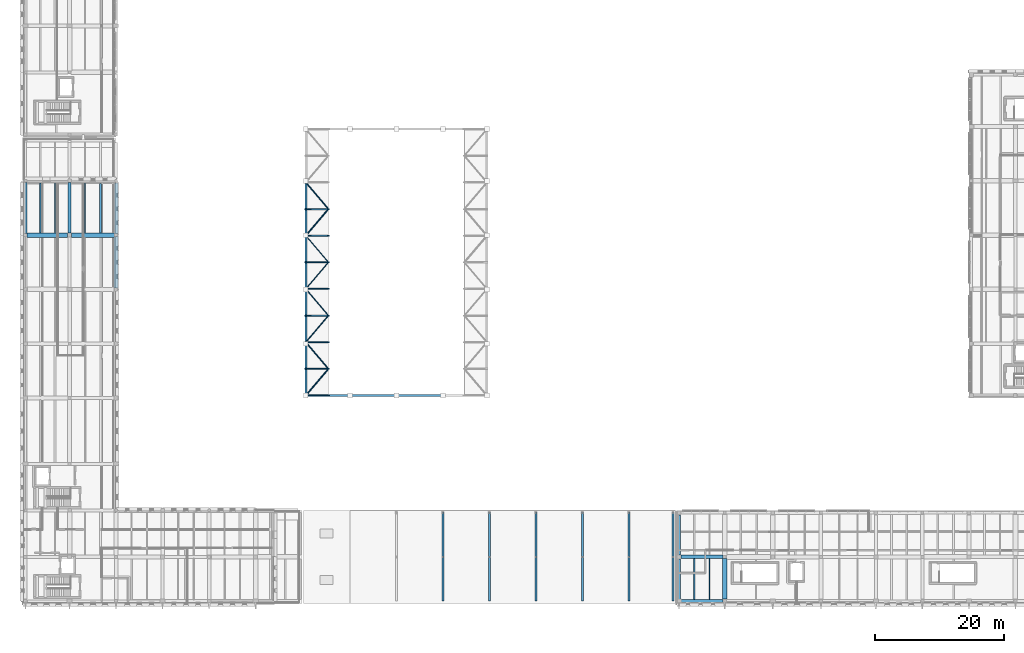
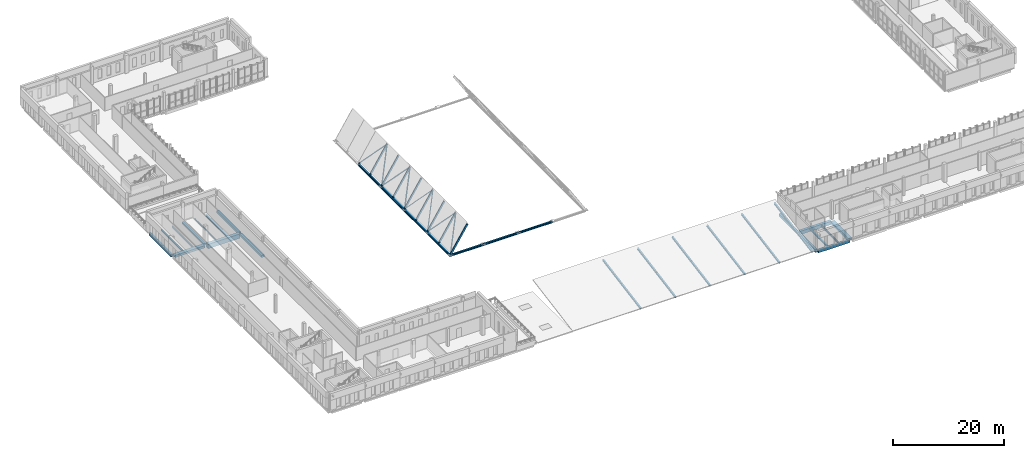
# One storey, part 10 of 56: 40 beams, 16 members.
"""IFC4 building model written with IfcOpenShell, lengths in metres."""

from ifc_helpers import new_model, si_unit, direction, frame, origin, origin_2d, place, context, subcontext, project, spatial, rectangle, hollow_rectangle, hollow_circle, i_section, extrude, material, material_profile, profile_set, type_object, element, save


model = new_model("IFC4")

# Units and contexts
model_context = context("Model", 3, precision=1e-05, world=origin(), true_north=direction((0.0, 1.0)))
body_context = subcontext(model_context, "Body", "Model", "MODEL_VIEW")
ifc_project = project(units=[si_unit("LENGTHUNIT", "METRE"), si_unit("AREAUNIT", "SQUARE_METRE"), si_unit("VOLUMEUNIT", "CUBIC_METRE"), si_unit("PLANEANGLEUNIT", "RADIAN"), si_unit("MASSUNIT", "GRAM", prefix="KILO")], contexts=[model_context])

# Site, building, storey
site_placement = place(None, origin())
site = spatial("IfcSite", under=ifc_project, at=site_placement, CompositionType="ELEMENT")
building_placement = place(site_placement, origin())
building = spatial("IfcBuilding", under=site, at=building_placement, Name="Vardoun Plaza Health Centre", CompositionType="ELEMENT")
storey_placement = place(building_placement, frame((0.0, 0.0, 8.699951171875)))
storey = spatial("IfcBuildingStorey", under=building, at=storey_placement, Name="L02", CompositionType="ELEMENT", Elevation=8.699951171875)

# Beams
ifc_material_1 = material(Name="Concrete C35/45", Category="concrete")
ifc_material_profile_1 = material_profile(ifc_material_1, rectangle(XDim=0.39990234375, YDim=0.550048828125, at=origin_2d()), Name="RC-BM 400x550")
ifc_profile_set_1 = profile_set([ifc_material_profile_1], Name="Concrete C35/45")
beam_type_1 = type_object("IfcBeamType", Name="B-09", PredefinedType="SPANDREL", material=ifc_profile_set_1)
beam_1_placement = place(storey_placement, frame((4.8798828125, 61.75, -0.554931640625), z_axis=(0.0, 1.0, 0.0), x_axis=(-1.0, 0.0, 0.0)))
element("IfcBeam", 1, at=beam_1_placement, inside=storey, type_object=beam_type_1, Name="V2 L02 Beam B-V2-L02-Y40", PredefinedType="SPANDREL", context=body_context, shape_type="SweptSolid", body=[
    extrude(rectangle(XDim=0.39990234375, YDim=0.550048828125, at=origin_2d()), origin(), (0.0, 0.0, 1.0), 7.925048828125),
])
ifc_material_2 = material(Name="Concrete C35/45", Category="concrete")
ifc_material_profile_2 = material_profile(ifc_material_2, rectangle(XDim=0.419921875, YDim=0.580078125, at=origin_2d()), Name="RC-BM 420x580")
ifc_profile_set_2 = profile_set([ifc_material_profile_2], Name="Concrete C35/45")
beam_type_2 = type_object("IfcBeamType", Name="B-10", PredefinedType="SPANDREL", material=ifc_profile_set_2)
beam_2_placement = place(storey_placement, frame((106.239990234375, 4.8798828125, -0.5849609375), z_axis=(1.0, 0.0, 0.0), x_axis=(0.0, 1.0, 0.0)))
element("IfcBeam", 2, at=beam_2_placement, inside=storey, type_object=beam_type_2, Name="V5 L02 Beam B-V5-L02-X01", PredefinedType="SPANDREL", context=body_context, shape_type="SweptSolid", body=[
    extrude(rectangle(XDim=0.419921875, YDim=0.580078125, at=origin_2d()), origin(), (0.0, 0.0, 1.0), 6.5849609375),
])
beam_3_placement = place(storey_placement, frame((106.0400390625, 12.02490234375, -0.5849609375), z_axis=(0.0, 1.0, 0.0), x_axis=(-1.0, 0.0, 0.0)))
element("IfcBeam", 3, at=beam_3_placement, inside=storey, type_object=beam_type_2, Name="V5 L02 Beam B-V5-L02-Y26", PredefinedType="SPANDREL", context=body_context, shape_type="SweptSolid", body=[
    extrude(rectangle(XDim=0.419921875, YDim=0.580078125, at=origin_2d()), origin(), (0.0, 0.0, 1.0), 6.195068359375),
])
ifc_material_3 = material(Name="Concrete C35/45", Category="concrete")
ifc_material_profile_3 = material_profile(ifc_material_3, rectangle(XDim=0.449951171875, YDim=0.3798828125, at=origin_2d()), Name="RC-BM 450x380")
ifc_profile_set_3 = profile_set([ifc_material_profile_3], Name="Concrete C35/45")
beam_type_3 = type_object("IfcBeamType", Name="B-01", PredefinedType="BEAM", material=ifc_profile_set_3)
beam_4_placement = place(storey_placement, frame((11.699951171875, 61.800048828125, -0.469970703125), z_axis=(0.0, 1.0, 0.0), x_axis=(-1.0, 0.0, 0.0)))
element("IfcBeam", 4, at=beam_4_placement, inside=storey, type_object=beam_type_3, Name="V2 L02 Beam B-V2-L02-Y47", PredefinedType="BEAM", context=body_context, shape_type="SweptSolid", body=[
    extrude(rectangle(XDim=0.449951171875, YDim=0.3798828125, at=origin_2d()), origin(), (0.0, 0.0, 1.0), 7.824951171875),
])
ifc_material_4 = material(Name="Concrete C35/45", Category="concrete")
ifc_material_profile_4 = material_profile(ifc_material_4, rectangle(XDim=0.449951171875, YDim=0.60009765625, at=origin_2d()), Name="RC-BM 450x600")
ifc_profile_set_4 = profile_set([ifc_material_profile_4], Name="Concrete C35/45")
beam_type_4 = type_object("IfcBeamType", Name="B-11", PredefinedType="SPANDREL", material=ifc_profile_set_4)
beam_5_placement = place(storey_placement, frame((106.0400390625, 5.080078125, -0.594970703125), z_axis=(0.0, 1.0, 0.0), x_axis=(-1.0, 0.0, 0.0)))
element("IfcBeam", 5, at=beam_5_placement, inside=storey, type_object=beam_type_4, Name="V5 L02 Beam B-V5-L02-Y25", PredefinedType="SPANDREL", context=body_context, shape_type="SweptSolid", body=[
    extrude(rectangle(XDim=0.449951171875, YDim=0.60009765625, at=origin_2d()), origin(), (0.0, 0.0, 1.0), 6.294921875),
])
ifc_material_5 = material(Name="Concrete C35/45", Category="concrete")
ifc_material_profile_5 = material_profile(ifc_material_5, rectangle(XDim=0.550048828125, YDim=0.419921875, at=origin_2d()), Name="RC-BM 550x420")
ifc_profile_set_5 = profile_set([ifc_material_profile_5], Name="Concrete C35/45")
beam_type_5 = type_object("IfcBeamType", Name="B-03", PredefinedType="BEAM", material=ifc_profile_set_5)
beam_6_placement = place(storey_placement, frame((18.89990234375, 61.699951171875, -0.489990234375), z_axis=(0.0, 1.0, 0.0), x_axis=(-1.0, 0.0, 0.0)))
element("IfcBeam", 6, at=beam_6_placement, inside=storey, type_object=beam_type_5, Name="V2 L02 Beam B-V2-L02-Y56", PredefinedType="BEAM", context=body_context, shape_type="SweptSolid", body=[
    extrude(rectangle(XDim=0.550048828125, YDim=0.419921875, at=origin_2d()), origin(), (0.0, 0.0, 1.0), 7.875),
])
ifc_material_6 = material(Name="Concrete C40/50", Category="concrete")
ifc_material_profile_6 = material_profile(ifc_material_6, rectangle(XDim=0.550048828125, YDim=0.719970703125, at=origin_2d()), Name="RC-BM 550x720")
ifc_profile_set_6 = profile_set([ifc_material_profile_6], Name="Concrete C40/50")
beam_type_6 = type_object("IfcBeamType", Name="B-14", PredefinedType="BEAM", material=ifc_profile_set_6)
beam_7_placement = place(storey_placement, frame((106.364990234375, 11.699951171875, -0.655029296875), z_axis=(1.0, 0.0, 0.0), x_axis=(0.0, 1.0, 0.0)))
element("IfcBeam", 7, at=beam_7_placement, inside=storey, type_object=beam_type_6, Name="V5 L02 Beam B-V5-L02-X02", PredefinedType="BEAM", context=body_context, shape_type="SweptSolid", body=[
    extrude(rectangle(XDim=0.550048828125, YDim=0.719970703125, at=origin_2d()), origin(), (0.0, 0.0, 1.0), 6.485107421875),
])
ifc_material_7 = material(Name="Concrete C35/45", Category="concrete")
ifc_material_profile_7 = material_profile(ifc_material_7, rectangle(XDim=0.60009765625, YDim=0.449951171875, at=origin_2d()), Name="RC-BM 600x450")
ifc_profile_set_7 = profile_set([ifc_material_profile_7], Name="Concrete C35/45")
beam_type_7 = type_object("IfcBeamType", Name="B-04", PredefinedType="BEAM", material=ifc_profile_set_7)
beam_8_placement = place(storey_placement, frame((18.89990234375, 53.324951171875, -0.5048828125), z_axis=(0.0, 1.0, 0.0), x_axis=(-1.0, 0.0, 0.0)))
element("IfcBeam", 8, at=beam_8_placement, inside=storey, type_object=beam_type_7, Name="V2 L02 Beam B-V2-L02-Y55", PredefinedType="BEAM", context=body_context, shape_type="SweptSolid", body=[
    extrude(rectangle(XDim=0.60009765625, YDim=0.449951171875, at=origin_2d()), origin(), (0.0, 0.0, 1.0), 7.97509765625),
])
ifc_material_8 = material(Name="Concrete C40/50", Category="concrete")
ifc_material_profile_8 = material_profile(ifc_material_8, rectangle(XDim=0.699951171875, YDim=0.949951171875, at=origin_2d()), Name="RC-BM 700x950")
ifc_profile_set_8 = profile_set([ifc_material_profile_8], Name="Concrete C40/50")
beam_type_8 = type_object("IfcBeamType", Name="B-16", PredefinedType="LINTEL", material=ifc_profile_set_8)
beam_9_placement = place(storey_placement, frame((12.0, 61.5, -0.7548828125), z_axis=(1.0, 0.0, 0.0), x_axis=(0.0, 1.0, 0.0)))
element("IfcBeam", 9, at=beam_9_placement, inside=storey, type_object=beam_type_8, Name="V2 L02 Beam B-V2-L02-X18", PredefinedType="LINTEL", context=body_context, shape_type="SweptSolid", body=[
    extrude(rectangle(XDim=0.699951171875, YDim=0.949951171875, at=origin_2d()), origin(), (0.0, 0.0, 1.0), 6.699951171875),
])
ifc_material_9 = material(Name="Concrete C35/45", Category="concrete")
ifc_material_profile_9 = material_profile(ifc_material_9, rectangle(XDim=0.75, YDim=0.47998046875, at=origin_2d()), Name="RC-BM 750x480")
ifc_profile_set_9 = profile_set([ifc_material_profile_9], Name="Concrete C35/45")
beam_type_9 = type_object("IfcBeamType", Name="B-07", PredefinedType="BEAM", material=ifc_profile_set_9)
beam_10_placement = place(storey_placement, frame((5.1298828125, 61.5, -0.52001953125), z_axis=(1.0, 0.0, 0.0), x_axis=(0.0, 1.0, 0.0)))
element("IfcBeam", 10, at=beam_10_placement, inside=storey, type_object=beam_type_9, Name="V2 L02 Beam B-V2-L02-X08", PredefinedType="BEAM", context=body_context, shape_type="SweptSolid", body=[
    extrude(rectangle(XDim=0.75, YDim=0.47998046875, at=origin_2d()), origin(), (0.0, 0.0, 1.0), 6.27001953125),
])
beam_11_placement = place(storey_placement, frame((113.10009765625, 5.155029296875, -0.534912109375), z_axis=(0.0, 1.0, 0.0), x_axis=(-1.0, 0.0, 0.0)))
element("IfcBeam", 11, at=beam_11_placement, inside=storey, type_object=beam_type_9, Name="V5 L02 Beam B-V5-L02-Y27", PredefinedType="BEAM", context=body_context, shape_type="SweptSolid", body=[
    extrude(rectangle(XDim=0.75, YDim=0.47998046875, at=origin_2d()), origin(), (0.0, 0.0, 1.0), 6.294921875),
])
ifc_material_10 = material(Name="Steel S355J2", Category="steel")
ifc_material_profile_10 = material_profile(ifc_material_10, i_section(OverallWidth=0.239990234375, OverallDepth=0.22998046875, WebThickness=0.007568359375, FlangeThickness=0.011962890625, FilletRadius=0.02099609375, at=origin_2d()), Name="HEA 240")
ifc_profile_set_10 = profile_set([ifc_material_profile_10], Name="Steel S355J2")
beam_type_10 = type_object("IfcBeamType", Name="SB-07", PredefinedType="BEAM", material=ifc_profile_set_10)
beam_12_placement = place(storey_placement, frame((7.153076171875, 61.875, -0.39501953125), z_axis=(0.0, 1.0, 0.0), x_axis=(-1.0, 0.0, 0.0)))
element("IfcBeam", 12, at=beam_12_placement, inside=storey, type_object=beam_type_10, Name="V2 L02 Secondary Floor Beam SJ-V2-L02-06", PredefinedType="BEAM", context=body_context, shape_type="SweptSolid", body=[
    extrude(i_section(OverallWidth=0.239990234375, OverallDepth=0.22998046875, WebThickness=0.007568359375, FlangeThickness=0.011962890625, FilletRadius=0.02099609375, at=origin_2d()), origin(), (0.0, 0.0, 1.0), 7.675048828125),
])
ifc_material_11 = material(Name="Steel S355J2", Category="steel")
ifc_material_profile_11 = material_profile(ifc_material_11, i_section(OverallWidth=0.300048828125, OverallDepth=0.35009765625, WebThickness=0.010009765625, FlangeThickness=0.017578125, FilletRadius=0.027099609375, at=origin_2d()), Name="HEA 360")
ifc_profile_set_11 = profile_set([ifc_material_profile_11], Name="Steel S355J2")
beam_type_11 = type_object("IfcBeamType", Name="SB-03", PredefinedType="BEAM", material=ifc_profile_set_11)
for number, where, z_axis, x_axis, name in (
    (13, (69.47998046875, 4.8798828125, -0.351318359375), (0.0, 0.984086748903, 0.177688690226), (-1.0, 0.0, 0.0), "V4 Clerestory Rafter South 2"),
    (14, (69.47998046875, 11.699951171875, 0.880126953125), (0.0, 0.98409290831, 0.177654574427), (-1.0, 0.0, 0.0), "V4 Clerestory Rafter North 2"),
    (15, (76.679931640625, 4.8798828125, -0.351318359375), (0.0, 0.984086748903, 0.177688690226), (-1.0, 0.0, 0.0), "V4 Clerestory Rafter South 3"),
    (16, (76.679931640625, 11.699951171875, 0.880126953125), (0.0, 0.98409290831, 0.177654574427), (-1.0, 0.0, 0.0), "V4 Clerestory Rafter North 3"),
    (17, (83.8798828125, 4.8798828125, -0.351318359375), (0.0, 0.984086748903, 0.177688690226), (-1.0, 0.0, 0.0), "V4 Clerestory Rafter South 4"),
    (18, (83.8798828125, 11.699951171875, 0.880126953125), (0.0, 0.98409290831, 0.177654574427), (-1.0, 0.0, 0.0), "V4 Clerestory Rafter North 4"),
    (19, (91.080078125, 4.8798828125, -0.351318359375), (0.0, 0.984086748903, 0.177688690226), (-1.0, 0.0, 0.0), "V4 Clerestory Rafter South 5"),
    (20, (91.080078125, 11.699951171875, 0.880126953125), (0.0, 0.98409290831, 0.177654574427), (-1.0, 0.0, 0.0), "V4 Clerestory Rafter North 5"),
    (21, (98.280029296875, 4.8798828125, -0.351318359375), (0.0, 0.984086748903, 0.177688690226), (-1.0, 0.0, 0.0), "V4 Clerestory Rafter South 6"),
    (22, (98.280029296875, 11.699951171875, 0.880126953125), (0.0, 0.98409290831, 0.177654574427), (-1.0, 0.0, 0.0), "V4 Clerestory Rafter North 6"),
    (23, (105.10009765625, 4.8798828125, -0.351318359375), (0.0, 0.984086748903, 0.177688690226), (-1.0, 0.0, 0.0), "V4 Clerestory Rafter South 7"),
    (24, (105.10009765625, 11.699951171875, 0.880126953125), (0.0, 0.98409290831, 0.177654574427), (-1.0, 0.0, 0.0), "V4 Clerestory Rafter North 7"),
):
    element("IfcBeam", number, at=place(storey_placement, frame(where, z_axis=z_axis, x_axis=x_axis)), inside=storey, type_object=beam_type_11, Name=name, PredefinedType="BEAM", context=body_context, shape_type="SweptSolid", body=[
        extrude(i_section(OverallWidth=0.300048828125, OverallDepth=0.35009765625, WebThickness=0.010009765625, FlangeThickness=0.017578125, FilletRadius=0.027099609375, at=origin_2d()), origin(), (0.0, 0.0, 1.0), 6.930419921875),
    ])
ifc_material_12 = material(Name="Steel S355J2", Category="steel")
ifc_material_profile_12 = material_profile(ifc_material_12, i_section(OverallWidth=0.280029296875, OverallDepth=0.280029296875, WebThickness=0.010498046875, FlangeThickness=0.01806640625, FilletRadius=0.02392578125, at=origin_2d()), Name="HEB 280")
ifc_profile_set_12 = profile_set([ifc_material_profile_12], Name="Steel S355J2")
beam_type_12 = type_object("IfcBeamType", Name="SB-02", PredefinedType="BEAM", material=ifc_profile_set_12)
beam_13_placement = place(storey_placement, frame((108.39306640625, 5.090087890625, -0.43505859375), z_axis=(0.0, 1.0, 0.0), x_axis=(-1.0, 0.0, 0.0)))
element("IfcBeam", 25, at=beam_13_placement, inside=storey, type_object=beam_type_12, Name="V5 L02 Secondary Floor Beam SJ-V5-L02-01", PredefinedType="BEAM", context=body_context, shape_type="SweptSolid", body=[
    extrude(i_section(OverallWidth=0.280029296875, OverallDepth=0.280029296875, WebThickness=0.010498046875, FlangeThickness=0.01806640625, FilletRadius=0.02392578125, at=origin_2d()), origin(), (0.0, 0.0, 1.0), 6.3349609375),
])
ifc_material_13 = material(Name="Steel S355J2", Category="steel")
ifc_material_profile_13 = material_profile(ifc_material_13, i_section(OverallWidth=0.300048828125, OverallDepth=0.360107421875, WebThickness=0.012451171875, FlangeThickness=0.0224609375, FilletRadius=0.027099609375, at=origin_2d()), Name="HEB 360")
ifc_profile_set_13 = profile_set([ifc_material_profile_13], Name="Steel S355J2")
beam_type_13 = type_object("IfcBeamType", Name="RB-04", PredefinedType="BEAM", material=ifc_profile_set_13)
beam_14_placement = place(storey_placement, frame((16.500244140625, 61.85009765625, -0.4599609375), z_axis=(0.0, 1.0, 0.0), x_axis=(-1.0, 0.0, 0.0)))
element("IfcBeam", 26, at=beam_14_placement, inside=storey, type_object=beam_type_13, Name="V2 L02 Secondary Floor Beam SJ-V2-L02-27", PredefinedType="BEAM", context=body_context, shape_type="SweptSolid", body=[
    extrude(i_section(OverallWidth=0.300048828125, OverallDepth=0.360107421875, WebThickness=0.012451171875, FlangeThickness=0.0224609375, FilletRadius=0.027099609375, at=origin_2d()), origin(), (0.0, 0.0, 1.0), 7.675048828125),
])
ifc_material_14 = material(Name="Steel S355J2", Category="steel")
ifc_material_profile_14 = material_profile(ifc_material_14, i_section(OverallWidth=0.300048828125, OverallDepth=0.39990234375, WebThickness=0.013427734375, FlangeThickness=0.02392578125, FilletRadius=0.027099609375, at=origin_2d()), Name="HEB 400")
ifc_profile_set_14 = profile_set([ifc_material_profile_14], Name="Steel S355J2")
beam_type_14 = type_object("IfcBeamType", Name="RB-03", PredefinedType="BEAM", material=ifc_profile_set_14)
beam_15_placement = place(storey_placement, frame((48.260009765625, 36.679931640625, -0.5), z_axis=(1.0, 0.0, 0.0), x_axis=(0.0, 1.0, 0.0)))
element("IfcBeam", 27, at=beam_15_placement, inside=storey, type_object=beam_type_14, Name="Gridshell Gable Tie Beam S01", PredefinedType="BEAM", context=body_context, shape_type="SweptSolid", body=[
    extrude(i_section(OverallWidth=0.300048828125, OverallDepth=0.39990234375, WebThickness=0.013427734375, FlangeThickness=0.02392578125, FilletRadius=0.027099609375, at=origin_2d()), origin(), (0.0, 0.0, 1.0), 6.820068359375),
])
for number, where, z_axis, x_axis, name in (
    (28, (55.080078125, 36.679931640625, -0.5), (1.0, 0.0, 0.0), (0.0, 1.0, 0.0), "Gridshell Gable Tie Beam S02"),
    (29, (62.280029296875, 36.679931640625, -0.5), (1.0, 0.0, 0.0), (0.0, 1.0, 0.0), "Gridshell Gable Tie Beam S03"),
):
    element("IfcBeam", number, at=place(storey_placement, frame(where, z_axis=z_axis, x_axis=x_axis)), inside=storey, type_object=beam_type_14, Name=name, PredefinedType="BEAM", context=body_context, shape_type="SweptSolid", body=[
        extrude(i_section(OverallWidth=0.300048828125, OverallDepth=0.39990234375, WebThickness=0.013427734375, FlangeThickness=0.02392578125, FilletRadius=0.027099609375, at=origin_2d()), origin(), (0.0, 0.0, 1.0), 7.199951171875),
    ])
ifc_material_15 = material(Name="Steel S355J2", Category="steel")
ifc_material_profile_15 = material_profile(ifc_material_15, i_section(OverallWidth=0.300048828125, OverallDepth=0.5, WebThickness=0.014404296875, FlangeThickness=0.028076171875, FilletRadius=0.027099609375, at=origin_2d()), Name="HEB 500")
ifc_profile_set_15 = profile_set([ifc_material_profile_15], Name="Steel S355J2")
beam_type_15 = type_object("IfcBeamType", Name="RB-01", PredefinedType="BEAM", material=ifc_profile_set_15)
for number, where, z_axis, x_axis, name in (
    (30, (48.260009765625, 36.679931640625, -0.550048828125), (0.0, 1.0, 0.0), (-1.0, 0.0, 0.0), "Gridshell Ring Beam W01"),
    (31, (48.260009765625, 40.803955078125, -0.550048828125), (0.0, 1.0, 0.0), (-1.0, 0.0, 0.0), "Gridshell Ring Beam W02"),
    (32, (48.260009765625, 44.927978515625, -0.550048828125), (0.0, 1.0, 0.0), (-1.0, 0.0, 0.0), "Gridshell Ring Beam W03"),
    (33, (48.260009765625, 49.052001953125, -0.550048828125), (0.0, 1.0, 0.0), (-1.0, 0.0, 0.0), "Gridshell Ring Beam W04"),
    (34, (48.260009765625, 53.176025390625, -0.550048828125), (0.0, 1.0, 0.0), (-1.0, 0.0, 0.0), "Gridshell Ring Beam W05"),
    (35, (48.260009765625, 57.300048828125, -0.550048828125), (0.0, 1.0, 0.0), (-1.0, 0.0, 0.0), "Gridshell Ring Beam W06"),
    (36, (48.260009765625, 61.424072265625, -0.550048828125), (0.0, 1.0, 0.0), (-1.0, 0.0, 0.0), "Gridshell Ring Beam W07"),
    (37, (48.260009765625, 65.548095703125, -0.550048828125), (0.0, 1.0, 0.0), (-1.0, 0.0, 0.0), "Gridshell Ring Beam W08"),
):
    element("IfcBeam", number, at=place(storey_placement, frame(where, z_axis=z_axis, x_axis=x_axis)), inside=storey, type_object=beam_type_15, Name=name, PredefinedType="BEAM", context=body_context, shape_type="SweptSolid", body=[
        extrude(i_section(OverallWidth=0.300048828125, OverallDepth=0.5, WebThickness=0.014404296875, FlangeThickness=0.028076171875, FilletRadius=0.027099609375, at=origin_2d()), origin(), (0.0, 0.0, 1.0), 4.1240234375),
    ])
ifc_material_16 = material(Name="Steel S355J2", Category="steel")
ifc_material_profile_16 = material_profile(ifc_material_16, i_section(OverallWidth=0.10009765625, OverallDepth=0.199951171875, WebThickness=0.005615234375, FlangeThickness=0.008544921875, FilletRadius=0.011962890625, at=origin_2d()), Name="IPE 200")
ifc_profile_set_16 = profile_set([ifc_material_profile_16], Name="Steel S355J2")
beam_type_16 = type_object("IfcBeamType", Name="SB-19", PredefinedType="SPANDREL", material=ifc_profile_set_16)
beam_16_placement = place(storey_placement, frame((14.099853515625, 61.85009765625, -0.3798828125), z_axis=(0.0, 1.0, 0.0), x_axis=(-1.0, 0.0, 0.0)))
element("IfcBeam", 38, at=beam_16_placement, inside=storey, type_object=beam_type_16, Name="V2 L02 Secondary Floor Beam SJ-V2-L02-20", PredefinedType="SPANDREL", context=body_context, shape_type="SweptSolid", body=[
    extrude(i_section(OverallWidth=0.10009765625, OverallDepth=0.199951171875, WebThickness=0.005615234375, FlangeThickness=0.008544921875, FilletRadius=0.011962890625, at=origin_2d()), origin(), (0.0, 0.0, 1.0), 7.675048828125),
])
ifc_material_17 = material(Name="Steel S355J2", Category="steel")
ifc_material_profile_17 = material_profile(ifc_material_17, i_section(OverallWidth=0.179931640625, OverallDepth=0.39990234375, WebThickness=0.008544921875, FlangeThickness=0.013427734375, FilletRadius=0.02099609375, at=origin_2d()), Name="IPE 400")
ifc_profile_set_17 = profile_set([ifc_material_profile_17], Name="Steel S355J2")
beam_type_17 = type_object("IfcBeamType", Name="SB-12", PredefinedType="BEAM", material=ifc_profile_set_17)
beam_17_placement = place(storey_placement, frame((9.427001953125, 61.875, -0.47998046875), z_axis=(0.0, 1.0, 0.0), x_axis=(-1.0, 0.0, 0.0)))
element("IfcBeam", 39, at=beam_17_placement, inside=storey, type_object=beam_type_17, Name="V2 L02 Secondary Floor Beam SJ-V2-L02-13", PredefinedType="BEAM", context=body_context, shape_type="SweptSolid", body=[
    extrude(i_section(OverallWidth=0.179931640625, OverallDepth=0.39990234375, WebThickness=0.008544921875, FlangeThickness=0.013427734375, FilletRadius=0.02099609375, at=origin_2d()), origin(), (0.0, 0.0, 1.0), 7.675048828125),
])
ifc_material_18 = material(Name="Steel S355J2", Category="steel")
ifc_material_profile_18 = material_profile(ifc_material_18, i_section(OverallWidth=0.18994140625, OverallDepth=0.449951171875, WebThickness=0.009521484375, FlangeThickness=0.0146484375, FilletRadius=0.02099609375, at=origin_2d()), Name="IPE 450")
ifc_profile_set_18 = profile_set([ifc_material_profile_18], Name="Steel S355J2")
beam_type_18 = type_object("IfcBeamType", Name="SB-11", PredefinedType="BEAM", material=ifc_profile_set_18)
beam_18_placement = place(storey_placement, frame((110.7470703125, 5.090087890625, -0.52001953125), z_axis=(0.0, 1.0, 0.0), x_axis=(-1.0, 0.0, 0.0)))
element("IfcBeam", 40, at=beam_18_placement, inside=storey, type_object=beam_type_18, Name="V5 L02 Secondary Floor Beam SJ-V5-L02-03", PredefinedType="BEAM", context=body_context, shape_type="SweptSolid", body=[
    extrude(i_section(OverallWidth=0.18994140625, OverallDepth=0.449951171875, WebThickness=0.009521484375, FlangeThickness=0.0146484375, FilletRadius=0.02099609375, at=origin_2d()), origin(), (0.0, 0.0, 1.0), 6.3349609375),
])

# Members
ifc_material_19 = material(Name="Steel S355J2H", Category="steel")
ifc_material_profile_19 = material_profile(ifc_material_19, hollow_rectangle(XDim=0.199951171875, YDim=0.39990234375, WallThickness=0.012451171875, at=origin_2d()), Name="RHS 400x200x12.5")
ifc_profile_set_19 = profile_set([ifc_material_profile_19], Name="Steel S355J2H")
member_type_1 = type_object("IfcMemberType", Name="GS-A1", PredefinedType="CHORD", material=ifc_profile_set_19)
member_1_placement = place(storey_placement, frame((48.260009765625, 36.679931640625, -0.300048828125), z_axis=(0.536527217757, 0.0, 0.843883015948), x_axis=(0.0, 1.0, 0.0)))
element("IfcMember", 41, at=member_1_placement, inside=storey, type_object=member_type_1, Name="Gridshell Arch Rib GA-01-01", PredefinedType="CHORD", context=body_context, shape_type="SweptSolid", body=[
    extrude(hollow_rectangle(XDim=0.199951171875, YDim=0.39990234375, WallThickness=0.012451171875, at=origin_2d()), origin(), (0.0, 0.0, 1.0), 6.532470703125),
])
ifc_material_20 = material(Name="Steel S355J2H", Category="steel")
ifc_material_profile_20 = material_profile(ifc_material_20, hollow_rectangle(XDim=0.14990234375, YDim=0.35009765625, WallThickness=0.010009765625, at=origin_2d()), Name="RHS 350x150x10.0")
ifc_profile_set_20 = profile_set([ifc_material_profile_20], Name="Steel S355J2H")
member_type_2 = type_object("IfcMemberType", Name="GS-A2", PredefinedType="CHORD", material=ifc_profile_set_20)
for number, where, z_axis, x_axis, name in (
    (42, (48.260009765625, 40.803955078125, -0.300048828125), (0.536527217757, 0.0, 0.843883015948), (0.0, 1.0, 0.0), "Gridshell Arch Rib GA-02-01"),
    (43, (48.260009765625, 44.927978515625, -0.300048828125), (0.536527217757, 0.0, 0.843883015948), (0.0, 1.0, 0.0), "Gridshell Arch Rib GA-03-01"),
    (44, (48.260009765625, 49.052001953125, -0.300048828125), (0.536527217757, 0.0, 0.843883015948), (0.0, 1.0, 0.0), "Gridshell Arch Rib GA-04-01"),
    (45, (48.260009765625, 53.176025390625, -0.300048828125), (0.536527217757, 0.0, 0.843883015948), (0.0, 1.0, 0.0), "Gridshell Arch Rib GA-05-01"),
    (46, (48.260009765625, 57.300048828125, -0.300048828125), (0.536527217757, 0.0, 0.843883015948), (0.0, 1.0, 0.0), "Gridshell Arch Rib GA-06-01"),
    (47, (48.260009765625, 61.424072265625, -0.300048828125), (0.536527217757, 0.0, 0.843883015948), (0.0, 1.0, 0.0), "Gridshell Arch Rib GA-07-01"),
    (48, (48.260009765625, 65.548095703125, -0.300048828125), (0.536527217757, 0.0, 0.843883015948), (0.0, 1.0, 0.0), "Gridshell Arch Rib GA-08-01"),
):
    element("IfcMember", number, at=place(storey_placement, frame(where, z_axis=z_axis, x_axis=x_axis)), inside=storey, type_object=member_type_2, Name=name, PredefinedType="CHORD", context=body_context, shape_type="SweptSolid", body=[
        extrude(hollow_rectangle(XDim=0.14990234375, YDim=0.35009765625, WallThickness=0.010009765625, at=origin_2d()), origin(), (0.0, 0.0, 1.0), 6.532470703125),
    ])
ifc_material_21 = material(Name="Steel S355J2H", Category="steel")
ifc_material_profile_21 = material_profile(ifc_material_21, hollow_circle(Radius=0.122314453125, WallThickness=0.012451171875, at=origin_2d()), Name="CHS 244.5x12.5")
ifc_profile_set_21 = profile_set([ifc_material_profile_21], Name="Steel S355J2H")
member_type_3 = type_object("IfcMemberType", Name="GS-D1", PredefinedType="BRACE", material=ifc_profile_set_21)
for number, where, z_axis, x_axis, name in (
    (49, (48.260009765625, 36.679931640625, -0.300048828125), (0.453683867754, 0.533827521182, 0.713581898431), (-0.761988287779, 0.647590803893, 0.0), "Gridshell Diagonal GD-01-01"),
    (50, (48.260009765625, 61.424072265625, -0.300048828125), (0.453683867754, 0.533827521182, 0.713581898431), (-0.761988287779, 0.647590803893, 0.0), "Gridshell Diagonal GD-07-01"),
):
    element("IfcMember", number, at=place(storey_placement, frame(where, z_axis=z_axis, x_axis=x_axis)), inside=storey, type_object=member_type_3, Name=name, PredefinedType="BRACE", context=body_context, shape_type="SweptSolid", body=[
        extrude(hollow_circle(Radius=0.122314453125, WallThickness=0.012451171875, at=origin_2d()), origin(), (0.0, 0.0, 1.0), 7.725341796875),
    ])
ifc_material_22 = material(Name="Steel S355J2H", Category="steel")
ifc_material_profile_22 = material_profile(ifc_material_22, hollow_circle(Radius=0.109619140625, WallThickness=0.010009765625, at=origin_2d()), Name="CHS 219.1x10.0")
ifc_profile_set_22 = profile_set([ifc_material_profile_22], Name="Steel S355J2H")
member_type_4 = type_object("IfcMemberType", Name="GS-D2", PredefinedType="BRACE", material=ifc_profile_set_22)
for number, where, z_axis, x_axis, name in (
    (51, (48.260009765625, 44.927978515625, -0.300048828125), (0.453683867754, -0.533827521182, 0.713581898431), (0.761988287779, 0.647590803893, 0.0), "Gridshell Diagonal GD-02-01"),
    (52, (48.260009765625, 69.672119140625, -0.300048828125), (0.453683867754, -0.533827521182, 0.713581898431), (0.761988287779, 0.647590803893, 0.0), "Gridshell Diagonal GD-08-01"),
):
    element("IfcMember", number, at=place(storey_placement, frame(where, z_axis=z_axis, x_axis=x_axis)), inside=storey, type_object=member_type_4, Name=name, PredefinedType="BRACE", context=body_context, shape_type="SweptSolid", body=[
        extrude(hollow_circle(Radius=0.109619140625, WallThickness=0.010009765625, at=origin_2d()), origin(), (0.0, 0.0, 1.0), 7.725341796875),
    ])
ifc_material_23 = material(Name="Steel S355J2H", Category="steel")
ifc_material_profile_23 = material_profile(ifc_material_23, hollow_circle(Radius=0.096923828125, WallThickness=0.010009765625, at=origin_2d()), Name="CHS 193.7x10.0")
ifc_profile_set_23 = profile_set([ifc_material_profile_23], Name="Steel S355J2H")
member_type_5 = type_object("IfcMemberType", Name="GS-D3", PredefinedType="BRACE", material=ifc_profile_set_23)
member_2_placement = place(storey_placement, frame((48.260009765625, 44.927978515625, -0.300048828125), z_axis=(0.453683867754, 0.533827521182, 0.713581898431), x_axis=(-0.761988287779, 0.647590803893, 0.0)))
element("IfcMember", 53, at=member_2_placement, inside=storey, type_object=member_type_5, Name="Gridshell Diagonal GD-03-01", PredefinedType="BRACE", context=body_context, shape_type="SweptSolid", body=[
    extrude(hollow_circle(Radius=0.096923828125, WallThickness=0.010009765625, at=origin_2d()), origin(), (0.0, 0.0, 1.0), 7.725341796875),
])
ifc_material_24 = material(Name="Steel S355J2H", Category="steel")
ifc_material_profile_24 = material_profile(ifc_material_24, hollow_circle(Radius=0.0888671875, WallThickness=0.008056640625, at=origin_2d()), Name="CHS 177.8x8.0")
ifc_profile_set_24 = profile_set([ifc_material_profile_24], Name="Steel S355J2H")
member_type_6 = type_object("IfcMemberType", Name="GS-D4", PredefinedType="BRACE", material=ifc_profile_set_24)
member_3_placement = place(storey_placement, frame((48.260009765625, 53.176025390625, -0.300048828125), z_axis=(0.453683867754, -0.533827521182, 0.713581898431), x_axis=(0.761988287779, 0.647590803893, 0.0)))
element("IfcMember", 54, at=member_3_placement, inside=storey, type_object=member_type_6, Name="Gridshell Diagonal GD-04-01", PredefinedType="BRACE", context=body_context, shape_type="SweptSolid", body=[
    extrude(hollow_circle(Radius=0.0888671875, WallThickness=0.008056640625, at=origin_2d()), origin(), (0.0, 0.0, 1.0), 7.725341796875),
])
ifc_material_25 = material(Name="Steel S355J2H", Category="steel")
ifc_material_profile_25 = material_profile(ifc_material_25, hollow_circle(Radius=0.084228515625, WallThickness=0.008056640625, at=origin_2d()), Name="CHS 168.3x8.0")
ifc_profile_set_25 = profile_set([ifc_material_profile_25], Name="Steel S355J2H")
member_type_7 = type_object("IfcMemberType", Name="GS-D5", PredefinedType="BRACE", material=ifc_profile_set_25)
member_4_placement = place(storey_placement, frame((48.260009765625, 53.176025390625, -0.300048828125), z_axis=(0.453683867754, 0.533827521182, 0.713581898431), x_axis=(-0.761988287779, 0.647590803893, 0.0)))
element("IfcMember", 55, at=member_4_placement, inside=storey, type_object=member_type_7, Name="Gridshell Diagonal GD-05-01", PredefinedType="BRACE", context=body_context, shape_type="SweptSolid", body=[
    extrude(hollow_circle(Radius=0.084228515625, WallThickness=0.008056640625, at=origin_2d()), origin(), (0.0, 0.0, 1.0), 7.725341796875),
])
ifc_material_26 = material(Name="Steel S355J2H", Category="steel")
ifc_material_profile_26 = material_profile(ifc_material_26, hollow_circle(Radius=0.076171875, WallThickness=0.008056640625, at=origin_2d()), Name="CHS 152.4x8.0")
ifc_profile_set_26 = profile_set([ifc_material_profile_26], Name="Steel S355J2H")
member_type_8 = type_object("IfcMemberType", Name="GS-D6", PredefinedType="BRACE", material=ifc_profile_set_26)
member_5_placement = place(storey_placement, frame((48.260009765625, 61.424072265625, -0.300048828125), z_axis=(0.453683867754, -0.533827521182, 0.713581898431), x_axis=(0.761988287779, 0.647590803893, 0.0)))
element("IfcMember", 56, at=member_5_placement, inside=storey, type_object=member_type_8, Name="Gridshell Diagonal GD-06-01", PredefinedType="BRACE", context=body_context, shape_type="SweptSolid", body=[
    extrude(hollow_circle(Radius=0.076171875, WallThickness=0.008056640625, at=origin_2d()), origin(), (0.0, 0.0, 1.0), 7.725341796875),
])

save(model, "model.ifc")
